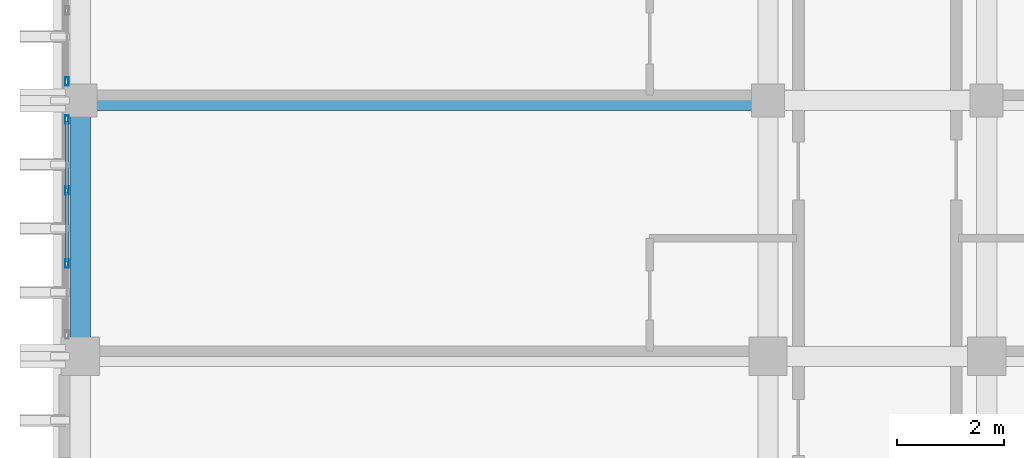
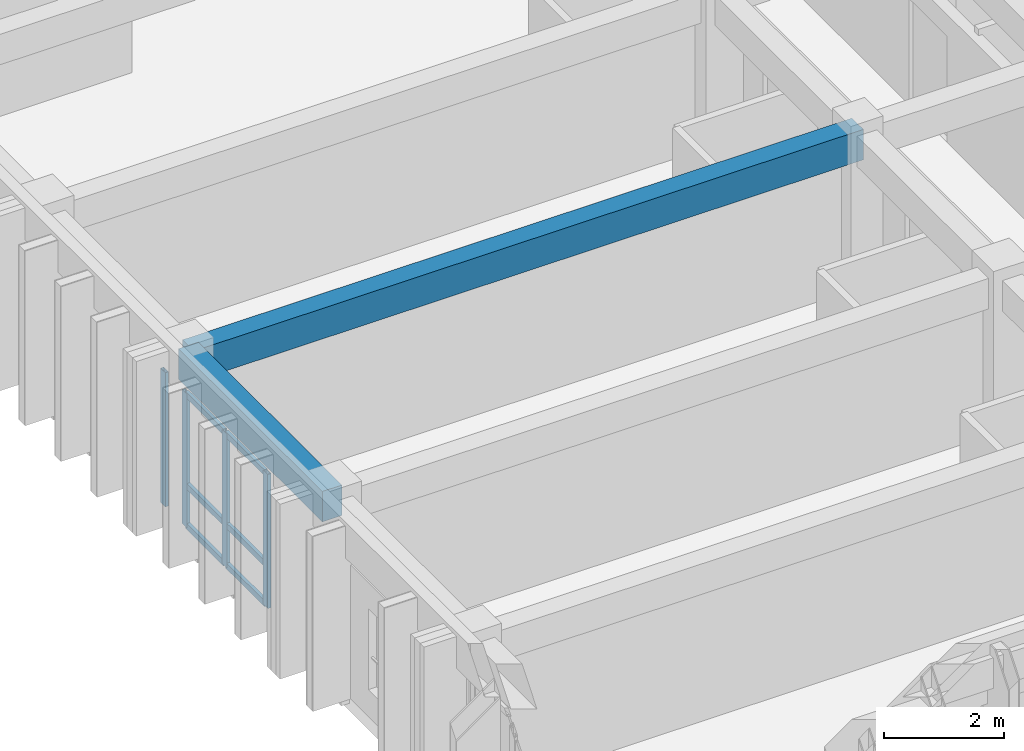
# One storey, part 9 of 59: 10 members, 2 beams, 2 elements without a shape of their own.
"""IFC4 building model written with IfcOpenShell, lengths in metres."""

from ifc_helpers import new_model, si_unit, direction, frame, origin, origin_2d, place, context, subcontext, project, spatial, rectangle, hollow_rectangle, extrude, material, layer, layer_set, material_profile, profile_set, type_object, element, aggregate, save


model = new_model("IFC4")

# Units and contexts
model_context = context("Model", 3, precision=1e-05, world=origin(), true_north=direction((0.0, 1.0)))
body_context = subcontext(model_context, "Body", "Model", "MODEL_VIEW")
ifc_project = project(units=[si_unit("LENGTHUNIT", "METRE"), si_unit("AREAUNIT", "SQUARE_METRE"), si_unit("VOLUMEUNIT", "CUBIC_METRE"), si_unit("PLANEANGLEUNIT", "RADIAN"), si_unit("MASSUNIT", "GRAM", prefix="KILO")], contexts=[model_context])

# Site, building, storey
site_placement = place(None, origin())
site = spatial("IfcSite", under=ifc_project, at=site_placement, CompositionType="ELEMENT")
building_placement = place(site_placement, origin())
building = spatial("IfcBuilding", under=site, at=building_placement, Name="Nakhvara Creek Congress Hotel", CompositionType="ELEMENT")
storey_placement = place(building_placement, frame((0.0, 0.0, 31.800048828125)))
storey = spatial("IfcBuildingStorey", under=building, at=storey_placement, Name="L07", CompositionType="ELEMENT", Elevation=31.800048828125)

# Beams
ifc_material_1 = material(Name="Concrete C40/50", Category="concrete")
ifc_material_profile_1 = material_profile(ifc_material_1, rectangle(XDim=0.3798828125, YDim=0.6201171875, at=origin_2d()), Name="RC-BM 380x620", Category="LoadBearing")
ifc_profile_set_1 = profile_set([ifc_material_profile_1], Name="Concrete C40/50")
beam_type = type_object("IfcBeamType", Name="BM-RC-380X620", PredefinedType="BEAM", material=ifc_profile_set_1)
beam_1_placement = place(storey_placement, frame((149.449951171875, 57.60009765625, 3.050048828125), z_axis=(0.0, 1.0, 0.0), x_axis=(-1.0, 0.0, 0.0)))
element("IfcBeam", 1, at=beam_1_placement, inside=storey, type_object=beam_type, Name="Beam B10-L07-2322", PredefinedType="BEAM", context=body_context, shape_type="SweptSolid", body=[
    extrude(rectangle(XDim=0.3798828125, YDim=0.6201171875, at=origin_2d()), origin(), (0.0, 0.0, 1.0), 4.7998046875),
])
beam_2_placement = place(storey_placement, frame((149.449951171875, 62.39990234375, 3.050048828125), z_axis=(1.0, 0.0, 0.0), x_axis=(0.0, 1.0, 0.0)))
element("IfcBeam", 2, at=beam_2_placement, inside=storey, type_object=beam_type, Name="Beam B10-L07-2408", PredefinedType="BEAM", context=body_context, shape_type="SweptSolid", body=[
    extrude(rectangle(XDim=0.3798828125, YDim=0.6201171875, at=origin_2d()), origin(), (0.0, 0.0, 1.0), 12.900146484375),
])

# Curtain wall, members
ifc_material_2 = material(Name="Bronze-anodised aluminium AW-6063-T6 and double-silver low-E glass", Category="aluminium")
ifc_layer = layer(ifc_material_2, 0.199951171875)
ifc_layer_set = layer_set([ifc_layer], Name="Bronze-anodised aluminium AW-6063-T6 and double-silver low-E glass")
curtain_wall_type = type_object("IfcCurtainWallType", Name="CW-HTL-UNIT", PredefinedType="USERDEFINED", material=ifc_layer_set)
curtain_wall_1_placement = place(storey_placement, origin())
curtain_wall_1 = element("IfcCurtainWall", 3, at=curtain_wall_1_placement, inside=storey, type_object=curtain_wall_type, Name="Curtain Wall CW256", ObjectType="UNITISED", PredefinedType="USERDEFINED")
ifc_material_3 = material(Name="Bronze-anodised aluminium AW-6063-T6", Category="aluminium")
ifc_material_profile_2 = material_profile(ifc_material_3, hollow_rectangle(XDim=0.06494140625, YDim=0.159912109375, WallThickness=0.00390625, at=origin_2d()), Name="ALU-MULL 65x160x4", Category="LoadBearing")
ifc_profile_set_2 = profile_set([ifc_material_profile_2], Name="Bronze-anodised aluminium AW-6063-T6")
member_type_1 = type_object("IfcMemberType", Name="CW-MULL-160", PredefinedType="MULLION", material=ifc_profile_set_2)
member_1_placement = place(storey_placement, frame((149.199951171875, 59.341552734375, 0.0), z_axis=(0.0, 0.0, 1.0), x_axis=(-1.0, 0.0, 0.0)))
member_1 = element("IfcMember", 4, at=member_1_placement, type_object=member_type_1, Name="CW256 mullion 2", PredefinedType="MULLION", context=body_context, shape_type="SweptSolid", body=[
    extrude(hollow_rectangle(XDim=0.06494140625, YDim=0.159912109375, WallThickness=0.00390625, at=origin_2d()), origin(), (0.0, 0.0, 1.0), 2.73193359375),
])
member_2_placement = place(storey_placement, frame((149.199951171875, 60.708251953125, 0.0), z_axis=(0.0, 0.0, 1.0), x_axis=(-1.0, 0.0, 0.0)))
member_2 = element("IfcMember", 5, at=member_2_placement, type_object=member_type_1, Name="CW256 mullion 3", PredefinedType="MULLION", context=body_context, shape_type="SweptSolid", body=[
    extrude(hollow_rectangle(XDim=0.06494140625, YDim=0.159912109375, WallThickness=0.00390625, at=origin_2d()), origin(), (0.0, 0.0, 1.0), 2.73193359375),
])
member_3_placement = place(storey_placement, frame((149.199951171875, 62.04248046875, 0.0), z_axis=(0.0, 0.0, 1.0), x_axis=(-1.0, 0.0, 0.0)))
member_3 = element("IfcMember", 6, at=member_3_placement, type_object=member_type_1, Name="CW256 mullion 4", PredefinedType="MULLION", context=body_context, shape_type="SweptSolid", body=[
    extrude(hollow_rectangle(XDim=0.06494140625, YDim=0.159912109375, WallThickness=0.00390625, at=origin_2d()), origin(), (0.0, 0.0, 1.0), 2.73193359375),
])

# Curtain wall, member
curtain_wall_2_placement = place(storey_placement, origin())
curtain_wall_2 = element("IfcCurtainWall", 7, at=curtain_wall_2_placement, inside=storey, type_object=curtain_wall_type, Name="Curtain Wall CW258", ObjectType="UNITISED", PredefinedType="USERDEFINED")
member_4_placement = place(storey_placement, frame((149.199951171875, 62.757568359375, 0.0), z_axis=(0.0, 0.0, 1.0), x_axis=(-1.0, 0.0, 0.0)))
member_4 = element("IfcMember", 8, at=member_4_placement, type_object=member_type_1, Name="CW258 mullion 1", PredefinedType="MULLION", context=body_context, shape_type="SweptSolid", body=[
    extrude(hollow_rectangle(XDim=0.06494140625, YDim=0.159912109375, WallThickness=0.00390625, at=origin_2d()), origin(), (0.0, 0.0, 1.0), 2.73193359375),
])
aggregate(curtain_wall_2, [member_4])

# Member
ifc_material_profile_3 = material_profile(ifc_material_3, hollow_rectangle(XDim=0.06494140625, YDim=0.1201171875, WallThickness=0.00390625, at=origin_2d()), Name="ALU-TRAN 65x120x4", Category="LoadBearing")
ifc_profile_set_3 = profile_set([ifc_material_profile_3], Name="Bronze-anodised aluminium AW-6063-T6")
member_type_2 = type_object("IfcMemberType", Name="CW-TRAN-120", PredefinedType="USERDEFINED", material=ifc_profile_set_3)
member_5_placement = place(storey_placement, frame((149.199951171875, 59.374267578125, 0.032470703125), z_axis=(0.0, 1.0, 0.0), x_axis=(-1.0, 0.0, 0.0)))
member_5 = element("IfcMember", 9, at=member_5_placement, type_object=member_type_2, Name="CW256 transom 2.1", ObjectType="TRANSOM", PredefinedType="USERDEFINED", context=body_context, shape_type="SweptSolid", body=[
    extrude(hollow_rectangle(XDim=0.06494140625, YDim=0.1201171875, WallThickness=0.00390625, at=origin_2d()), origin(), (0.0, 0.0, 1.0), 1.301513671875),
])

member_6_placement = place(storey_placement, frame((149.199951171875, 59.374267578125, 0.849853515625), z_axis=(0.0, 1.0, 0.0), x_axis=(-1.0, 0.0, 0.0)))
member_6 = element("IfcMember", 10, at=member_6_placement, type_object=member_type_2, Name="CW256 transom 2.2", ObjectType="TRANSOM", PredefinedType="USERDEFINED", context=body_context, shape_type="SweptSolid", body=[
    extrude(hollow_rectangle(XDim=0.06494140625, YDim=0.1201171875, WallThickness=0.00390625, at=origin_2d()), origin(), (0.0, 0.0, 1.0), 1.301513671875),
])

member_7_placement = place(storey_placement, frame((149.199951171875, 59.374267578125, 2.699462890625), z_axis=(0.0, 1.0, 0.0), x_axis=(-1.0, 0.0, 0.0)))
member_7 = element("IfcMember", 11, at=member_7_placement, type_object=member_type_2, Name="CW256 transom 2.3", ObjectType="TRANSOM", PredefinedType="USERDEFINED", context=body_context, shape_type="SweptSolid", body=[
    extrude(hollow_rectangle(XDim=0.06494140625, YDim=0.1201171875, WallThickness=0.00390625, at=origin_2d()), origin(), (0.0, 0.0, 1.0), 1.301513671875),
])

member_8_placement = place(storey_placement, frame((149.199951171875, 60.74072265625, 0.032470703125), z_axis=(0.0, 1.0, 0.0), x_axis=(-1.0, 0.0, 0.0)))
member_8 = element("IfcMember", 12, at=member_8_placement, type_object=member_type_2, Name="CW256 transom 3.1", ObjectType="TRANSOM", PredefinedType="USERDEFINED", context=body_context, shape_type="SweptSolid", body=[
    extrude(hollow_rectangle(XDim=0.06494140625, YDim=0.1201171875, WallThickness=0.00390625, at=origin_2d()), origin(), (0.0, 0.0, 1.0), 1.269287109375),
])

member_9_placement = place(storey_placement, frame((149.199951171875, 60.74072265625, 0.849853515625), z_axis=(0.0, 1.0, 0.0), x_axis=(-1.0, 0.0, 0.0)))
member_9 = element("IfcMember", 13, at=member_9_placement, type_object=member_type_2, Name="CW256 transom 3.2", ObjectType="TRANSOM", PredefinedType="USERDEFINED", context=body_context, shape_type="SweptSolid", body=[
    extrude(hollow_rectangle(XDim=0.06494140625, YDim=0.1201171875, WallThickness=0.00390625, at=origin_2d()), origin(), (0.0, 0.0, 1.0), 1.269287109375),
])

member_10_placement = place(storey_placement, frame((149.199951171875, 60.74072265625, 2.699462890625), z_axis=(0.0, 1.0, 0.0), x_axis=(-1.0, 0.0, 0.0)))
member_10 = element("IfcMember", 14, at=member_10_placement, type_object=member_type_2, Name="CW256 transom 3.3", ObjectType="TRANSOM", PredefinedType="USERDEFINED", context=body_context, shape_type="SweptSolid", body=[
    extrude(hollow_rectangle(XDim=0.06494140625, YDim=0.1201171875, WallThickness=0.00390625, at=origin_2d()), origin(), (0.0, 0.0, 1.0), 1.269287109375),
])

aggregate(curtain_wall_1, [member_1, member_2, member_3, member_5, member_6, member_7, member_8, member_9, member_10])

save(model, "model.ifc")
